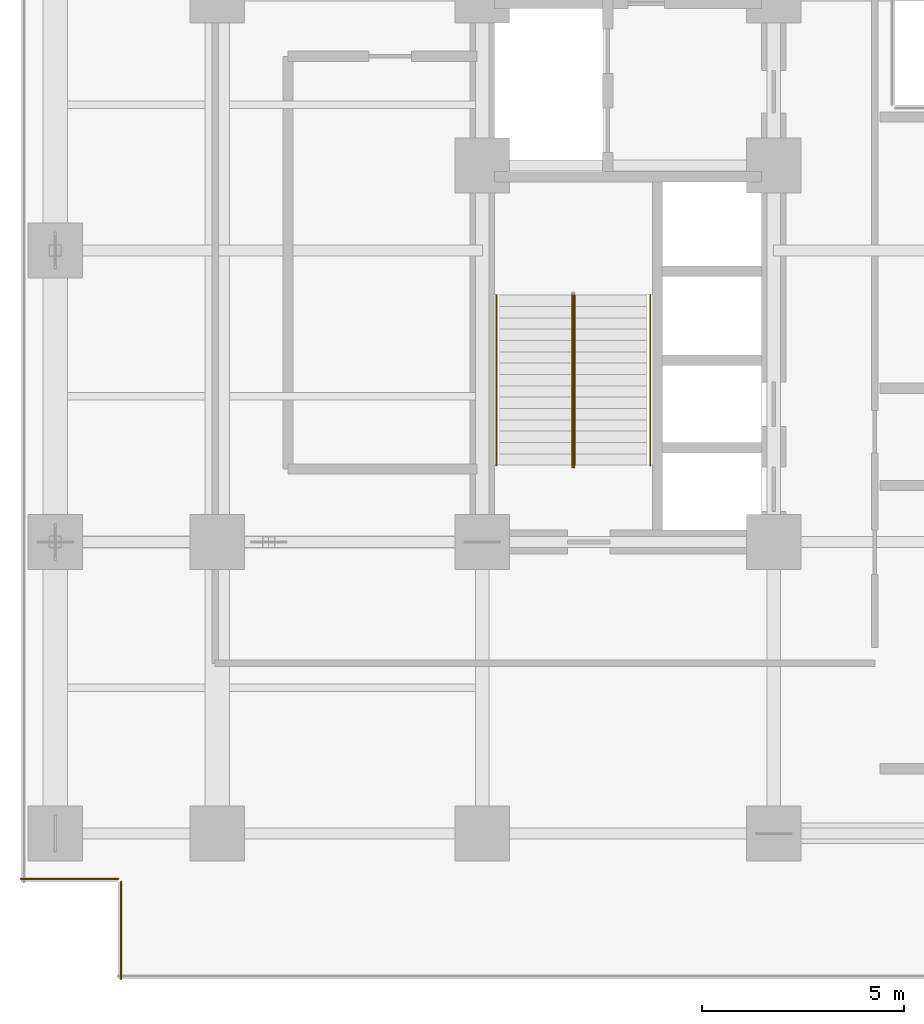
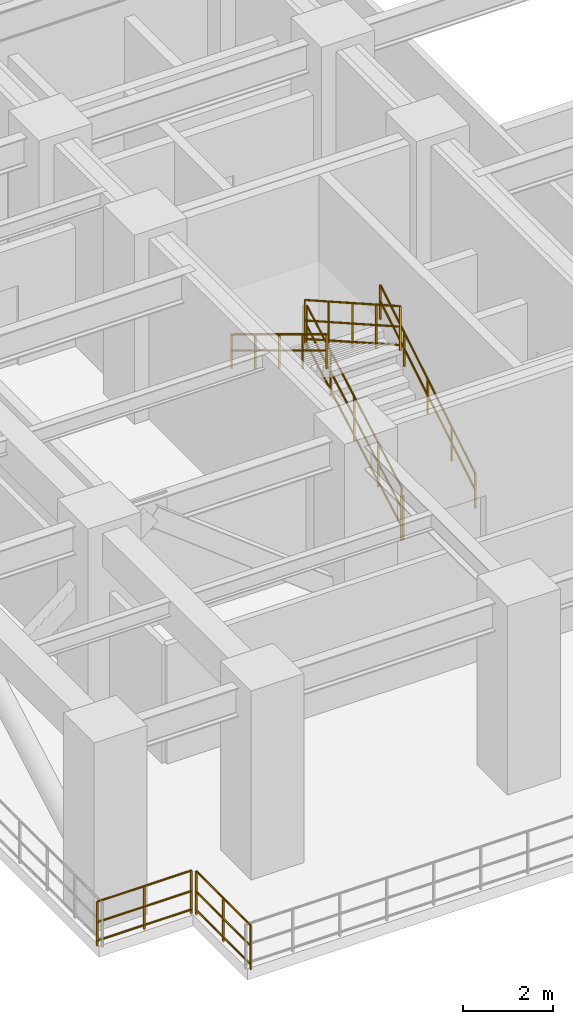
# One storey, part 8 of 15: 7 railings.
"""IFC4 building model written with IfcOpenShell, lengths in metres."""

from ifc_helpers import new_model, entity, si_unit, converted_unit, direction, frame, origin_with_axes, origin_2d_with_axis, place, context, subcontext, project, spatial, rectangle, circle, extrude, material, type_object, element, save


model = new_model("IFC4")

# Units and contexts
model_context = context("Model", 3, precision=1e-05, world=origin_with_axes(), true_north=direction((0.0, 1.0)))
body_context = subcontext(model_context, "Body", "Model", "MODEL_VIEW")
ifc_project = project(units=[si_unit("LENGTHUNIT", "METRE"), si_unit("AREAUNIT", "SQUARE_METRE"), si_unit("VOLUMEUNIT", "CUBIC_METRE"), converted_unit("PLANEANGLEUNIT", "DEGREE", entity("IfcPlaneAngleMeasure", 0.017453292519943295), si_unit("PLANEANGLEUNIT", "RADIAN"), dimensions=[0, 0, 0, 0, 0, 0, 0]), si_unit("MASSUNIT", "GRAM", prefix="KILO"), si_unit("THERMODYNAMICTEMPERATUREUNIT", "KELVIN")], contexts=[model_context])

# Site, building, storey
site_placement = place(None, origin_with_axes())
site = spatial("IfcSite", under=ifc_project, at=site_placement, CompositionType="ELEMENT")
building_placement = place(site_placement, origin_with_axes())
building = spatial("IfcBuilding", under=site, at=building_placement, Name="Varnlund Millrace Tower", CompositionType="ELEMENT")
storey_placement = place(building_placement, frame((0.0, 0.0, 79.5), z_axis=(0.0, 0.0, 1.0), x_axis=(1.0, 0.0, 0.0)))
storey = spatial("IfcBuildingStorey", under=building, at=storey_placement, Name="L19", CompositionType="ELEMENT", Elevation=79.5)

# Railings
ifc_material_1 = material(Name="Architectural bronze balustrade guard", Category="aluminium")
railing_type_1 = type_object("IfcRailingType", Name="Type-Guard-Perimeter-1150", PredefinedType="BALUSTRADE", material=ifc_material_1)
railing_1_placement = place(storey_placement, frame((0.0, 0.0, -79.5), z_axis=(0.0, 0.0, 1.0), x_axis=(1.0, 0.0, 0.0)))
element("IfcRailing", 1, at=railing_1_placement, inside=storey, type_object=railing_type_1, Name="Type-Guard-Perimeter-1150", PredefinedType="BALUSTRADE", context=body_context, shape_type="SweptSolid", body=[
    extrude(circle(Radius=0.024, at=origin_2d_with_axis()), frame((0.0, 2.48, 80.65), z_axis=(1.0, 0.0, 0.0), x_axis=(0.0, 1.0, 0.0)), (0.0, 0.0, 1.0), 2.4),
    extrude(circle(Radius=0.024, at=origin_2d_with_axis()), frame((0.0, 2.48, 79.6), z_axis=(1.0, 0.0, 0.0), x_axis=(0.0, 1.0, 0.0)), (0.0, 0.0, 1.0), 2.4),
    extrude(circle(Radius=0.024, at=origin_2d_with_axis()), frame((0.0, 2.48, 80.098), z_axis=(1.0, 0.0, 0.0), x_axis=(0.0, 1.0, 0.0)), (0.0, 0.0, 1.0), 2.4),
    extrude(rectangle(XDim=0.04, YDim=0.04, at=origin_2d_with_axis()), frame((0.0, 2.48, 79.46), z_axis=(0.0, 0.0, 1.0), x_axis=(1.0, 0.0, 0.0)), (0.0, 0.0, 1.0), 1.19),
    extrude(rectangle(XDim=0.04, YDim=0.04, at=origin_2d_with_axis()), frame((1.2, 2.48, 79.46), z_axis=(0.0, 0.0, 1.0), x_axis=(1.0, 0.0, 0.0)), (0.0, 0.0, 1.0), 1.19),
    extrude(rectangle(XDim=0.04, YDim=0.04, at=origin_2d_with_axis()), frame((2.4, 2.48, 79.46), z_axis=(0.0, 0.0, 1.0), x_axis=(1.0, 0.0, 0.0)), (0.0, 0.0, 1.0), 1.19),
])
railing_2_placement = place(storey_placement, frame((0.0, 0.0, -79.5), z_axis=(0.0, 0.0, 1.0), x_axis=(1.0, 0.0, 0.0)))
element("IfcRailing", 2, at=railing_2_placement, inside=storey, type_object=railing_type_1, Name="Type-Guard-Perimeter-1150", PredefinedType="BALUSTRADE", context=body_context, shape_type="SweptSolid", body=[
    extrude(circle(Radius=0.024, at=origin_2d_with_axis()), frame((2.48, 2.4, 80.65), z_axis=(0.0, -1.0, 0.0), x_axis=(1.0, 0.0, 0.0)), (0.0, 0.0, 1.0), 2.4),
    extrude(circle(Radius=0.024, at=origin_2d_with_axis()), frame((2.48, 2.4, 79.6), z_axis=(0.0, -1.0, 0.0), x_axis=(1.0, 0.0, 0.0)), (0.0, 0.0, 1.0), 2.4),
    extrude(circle(Radius=0.024, at=origin_2d_with_axis()), frame((2.48, 2.4, 80.098), z_axis=(0.0, -1.0, 0.0), x_axis=(1.0, 0.0, 0.0)), (0.0, 0.0, 1.0), 2.4),
    extrude(rectangle(XDim=0.04, YDim=0.04, at=origin_2d_with_axis()), frame((2.48, 2.4, 79.46), z_axis=(0.0, 0.0, 1.0), x_axis=(1.0, 0.0, 0.0)), (0.0, 0.0, 1.0), 1.19),
    extrude(rectangle(XDim=0.04, YDim=0.04, at=origin_2d_with_axis()), frame((2.48, 1.2, 79.46), z_axis=(0.0, 0.0, 1.0), x_axis=(1.0, 0.0, 0.0)), (0.0, 0.0, 1.0), 1.19),
    extrude(rectangle(XDim=0.04, YDim=0.04, at=origin_2d_with_axis()), frame((2.48, 0.0, 79.46), z_axis=(0.0, 0.0, 1.0), x_axis=(1.0, 0.0, 0.0)), (0.0, 0.0, 1.0), 1.19),
])
ifc_material_2 = material(Name="Painted steel stair well balustrade guard", Category="steel")
railing_type_2 = type_object("IfcRailingType", Name="Type-StairGuard-1150", PredefinedType="GUARDRAIL", material=ifc_material_2)
railing_3_placement = place(storey_placement, frame((0.0, 0.0, -79.5), z_axis=(0.0, 0.0, 1.0), x_axis=(1.0, 0.0, 0.0)))
element("IfcRailing", 3, at=railing_3_placement, inside=storey, type_object=railing_type_2, Name="Type-StairGuard-1150", PredefinedType="GUARDRAIL", context=body_context, shape_type="SweptSolid", body=[
    extrude(circle(Radius=0.024, at=origin_2d_with_axis()), frame((13.675, 12.7, 80.82), z_axis=(0.0, 0.870022, 0.493013), x_axis=(-1.0, 0.0, 0.0)), (0.0, 0.0, 1.0), 4.827463),
    extrude(circle(Radius=0.024, at=origin_2d_with_axis()), frame((13.675, 12.7, 79.77), z_axis=(0.0, 0.870022, 0.493013), x_axis=(-1.0, 0.0, 0.0)), (0.0, 0.0, 1.0), 4.827463),
    extrude(circle(Radius=0.024, at=origin_2d_with_axis()), frame((13.675, 12.7, 80.268), z_axis=(0.0, 0.870022, 0.493013), x_axis=(-1.0, 0.0, 0.0)), (0.0, 0.0, 1.0), 4.827463),
    extrude(rectangle(XDim=0.04, YDim=0.04, at=origin_2d_with_axis()), frame((13.675, 12.7, 79.63), z_axis=(0.0, 0.0, 1.0), x_axis=(1.0, 0.0, 0.0)), (0.0, 0.0, 1.0), 1.19),
    extrude(rectangle(XDim=0.04, YDim=0.04, at=origin_2d_with_axis()), frame((13.675, 13.75, 80.225), z_axis=(0.0, 0.0, 1.0), x_axis=(1.0, 0.0, 0.0)), (0.0, 0.0, 1.0), 1.19),
    extrude(rectangle(XDim=0.04, YDim=0.04, at=origin_2d_with_axis()), frame((13.675, 14.8, 80.82), z_axis=(0.0, 0.0, 1.0), x_axis=(1.0, 0.0, 0.0)), (0.0, 0.0, 1.0), 1.19),
    extrude(rectangle(XDim=0.04, YDim=0.04, at=origin_2d_with_axis()), frame((13.675, 15.85, 81.415), z_axis=(0.0, 0.0, 1.0), x_axis=(1.0, 0.0, 0.0)), (0.0, 0.0, 1.0), 1.19),
    extrude(rectangle(XDim=0.04, YDim=0.04, at=origin_2d_with_axis()), frame((13.675, 16.9, 82.01), z_axis=(0.0, 0.0, 1.0), x_axis=(1.0, 0.0, 0.0)), (0.0, 0.0, 1.0), 1.19),
])
railing_4_placement = place(storey_placement, frame((0.0, 0.0, -79.5), z_axis=(0.0, 0.0, 1.0), x_axis=(1.0, 0.0, 0.0)))
element("IfcRailing", 4, at=railing_4_placement, inside=storey, type_object=railing_type_2, Name="Type-StairGuard-1150", PredefinedType="GUARDRAIL", context=body_context, shape_type="SweptSolid", body=[
    extrude(circle(Radius=0.024, at=origin_2d_with_axis()), frame((13.625, 16.9, 83.37), z_axis=(0.0, -0.870022, 0.493013), x_axis=(1.0, 0.0, 0.0)), (0.0, 0.0, 1.0), 4.827463),
    extrude(circle(Radius=0.024, at=origin_2d_with_axis()), frame((13.625, 16.9, 82.32), z_axis=(0.0, -0.870022, 0.493013), x_axis=(1.0, 0.0, 0.0)), (0.0, 0.0, 1.0), 4.827463),
    extrude(circle(Radius=0.024, at=origin_2d_with_axis()), frame((13.625, 16.9, 82.818), z_axis=(0.0, -0.870022, 0.493013), x_axis=(1.0, 0.0, 0.0)), (0.0, 0.0, 1.0), 4.827463),
    extrude(rectangle(XDim=0.04, YDim=0.04, at=origin_2d_with_axis()), frame((13.625, 16.9, 82.18), z_axis=(0.0, 0.0, 1.0), x_axis=(1.0, 0.0, 0.0)), (0.0, 0.0, 1.0), 1.19),
    extrude(rectangle(XDim=0.04, YDim=0.04, at=origin_2d_with_axis()), frame((13.625, 15.85, 82.775), z_axis=(0.0, 0.0, 1.0), x_axis=(1.0, 0.0, 0.0)), (0.0, 0.0, 1.0), 1.19),
    extrude(rectangle(XDim=0.04, YDim=0.04, at=origin_2d_with_axis()), frame((13.625, 14.8, 83.37), z_axis=(0.0, 0.0, 1.0), x_axis=(1.0, 0.0, 0.0)), (0.0, 0.0, 1.0), 1.19),
    extrude(rectangle(XDim=0.04, YDim=0.04, at=origin_2d_with_axis()), frame((13.625, 13.75, 83.965), z_axis=(0.0, 0.0, 1.0), x_axis=(1.0, 0.0, 0.0)), (0.0, 0.0, 1.0), 1.19),
    extrude(rectangle(XDim=0.04, YDim=0.04, at=origin_2d_with_axis()), frame((13.625, 12.7, 84.56), z_axis=(0.0, 0.0, 1.0), x_axis=(1.0, 0.0, 0.0)), (0.0, 0.0, 1.0), 1.19),
])
railing_5_placement = place(storey_placement, frame((0.0, 0.0, -79.5), z_axis=(0.0, 0.0, 1.0), x_axis=(1.0, 0.0, 0.0)))
element("IfcRailing", 5, at=railing_5_placement, inside=storey, type_object=railing_type_2, Name="Type-StairGuard-1150", PredefinedType="GUARDRAIL", context=body_context, shape_type="SweptSolid", body=[
    extrude(circle(Radius=0.024, at=origin_2d_with_axis()), frame((13.625, 12.65, 80.65), z_axis=(1.0, 0.0, 0.0), x_axis=(0.0, 1.0, 0.0)), (0.0, 0.0, 1.0), 0.05),
    extrude(circle(Radius=0.024, at=origin_2d_with_axis()), frame((13.625, 12.65, 79.6), z_axis=(1.0, 0.0, 0.0), x_axis=(0.0, 1.0, 0.0)), (0.0, 0.0, 1.0), 0.05),
    extrude(circle(Radius=0.024, at=origin_2d_with_axis()), frame((13.625, 12.65, 80.098), z_axis=(1.0, 0.0, 0.0), x_axis=(0.0, 1.0, 0.0)), (0.0, 0.0, 1.0), 0.05),
    extrude(rectangle(XDim=0.04, YDim=0.04, at=origin_2d_with_axis()), frame((13.625, 12.65, 79.46), z_axis=(0.0, 0.0, 1.0), x_axis=(1.0, 0.0, 0.0)), (0.0, 0.0, 1.0), 1.19),
    extrude(rectangle(XDim=0.04, YDim=0.04, at=origin_2d_with_axis()), frame((13.675, 12.65, 79.46), z_axis=(0.0, 0.0, 1.0), x_axis=(1.0, 0.0, 0.0)), (0.0, 0.0, 1.0), 1.19),
])
ifc_material_3 = material(Name="Brushed architectural bronze stair handrail", Category="aluminium")
railing_type_3 = type_object("IfcRailingType", Name="Type-StairHandrail-900", PredefinedType="HANDRAIL", material=ifc_material_3)
railing_6_placement = place(storey_placement, frame((0.0, 0.0, -79.5), z_axis=(0.0, 0.0, 1.0), x_axis=(1.0, 0.0, 0.0)))
element("IfcRailing", 6, at=railing_6_placement, inside=storey, type_object=railing_type_3, Name="Type-StairHandrail-900", PredefinedType="HANDRAIL", context=body_context, shape_type="SweptSolid", body=[
    extrude(circle(Radius=0.024, at=origin_2d_with_axis()), frame((15.55, 12.7, 80.549485), z_axis=(0.0, 0.854788, 0.518978), x_axis=(-1.0, 0.0, 0.0)), (0.0, 0.0, 1.0), 4.913502),
    extrude(circle(Radius=0.024, at=origin_2d_with_axis()), frame((15.55, 12.7, 80.109743), z_axis=(0.0, 0.854788, 0.518978), x_axis=(-1.0, 0.0, 0.0)), (0.0, 0.0, 1.0), 4.913502),
    extrude(rectangle(XDim=0.04, YDim=0.04, at=origin_2d_with_axis()), frame((15.55, 12.7, 79.63), z_axis=(0.0, 0.0, 1.0), x_axis=(1.0, 0.0, 0.0)), (0.0, 0.0, 1.0), 0.919485),
    extrude(rectangle(XDim=0.04, YDim=0.04, at=origin_2d_with_axis()), frame((15.55, 13.75, 80.2675), z_axis=(0.0, 0.0, 1.0), x_axis=(1.0, 0.0, 0.0)), (0.0, 0.0, 1.0), 0.919485),
    extrude(rectangle(XDim=0.04, YDim=0.04, at=origin_2d_with_axis()), frame((15.55, 14.8, 80.905), z_axis=(0.0, 0.0, 1.0), x_axis=(1.0, 0.0, 0.0)), (0.0, 0.0, 1.0), 0.919485),
    extrude(rectangle(XDim=0.04, YDim=0.04, at=origin_2d_with_axis()), frame((15.55, 15.85, 81.5425), z_axis=(0.0, 0.0, 1.0), x_axis=(1.0, 0.0, 0.0)), (0.0, 0.0, 1.0), 0.919485),
    extrude(rectangle(XDim=0.04, YDim=0.04, at=origin_2d_with_axis()), frame((15.55, 16.9, 82.18), z_axis=(0.0, 0.0, 1.0), x_axis=(1.0, 0.0, 0.0)), (0.0, 0.0, 1.0), 0.919485),
])
railing_7_placement = place(storey_placement, frame((0.0, 0.0, -79.5), z_axis=(0.0, 0.0, 1.0), x_axis=(1.0, 0.0, 0.0)))
element("IfcRailing", 7, at=railing_7_placement, inside=storey, type_object=railing_type_3, Name="Type-StairHandrail-900", PredefinedType="HANDRAIL", context=body_context, shape_type="SweptSolid", body=[
    extrude(circle(Radius=0.024, at=origin_2d_with_axis()), frame((11.75, 16.9, 83.099485), z_axis=(0.0, -0.854788, 0.518978), x_axis=(1.0, 0.0, 0.0)), (0.0, 0.0, 1.0), 4.913502),
    extrude(circle(Radius=0.024, at=origin_2d_with_axis()), frame((11.75, 16.9, 82.659743), z_axis=(0.0, -0.854788, 0.518978), x_axis=(1.0, 0.0, 0.0)), (0.0, 0.0, 1.0), 4.913502),
    extrude(rectangle(XDim=0.04, YDim=0.04, at=origin_2d_with_axis()), frame((11.75, 16.9, 82.18), z_axis=(0.0, 0.0, 1.0), x_axis=(1.0, 0.0, 0.0)), (0.0, 0.0, 1.0), 0.919485),
    extrude(rectangle(XDim=0.04, YDim=0.04, at=origin_2d_with_axis()), frame((11.75, 15.85, 82.8175), z_axis=(0.0, 0.0, 1.0), x_axis=(1.0, 0.0, 0.0)), (0.0, 0.0, 1.0), 0.919485),
    extrude(rectangle(XDim=0.04, YDim=0.04, at=origin_2d_with_axis()), frame((11.75, 14.8, 83.455), z_axis=(0.0, 0.0, 1.0), x_axis=(1.0, 0.0, 0.0)), (0.0, 0.0, 1.0), 0.919485),
    extrude(rectangle(XDim=0.04, YDim=0.04, at=origin_2d_with_axis()), frame((11.75, 13.75, 84.0925), z_axis=(0.0, 0.0, 1.0), x_axis=(1.0, 0.0, 0.0)), (0.0, 0.0, 1.0), 0.919485),
    extrude(rectangle(XDim=0.04, YDim=0.04, at=origin_2d_with_axis()), frame((11.75, 12.7, 84.73), z_axis=(0.0, 0.0, 1.0), x_axis=(1.0, 0.0, 0.0)), (0.0, 0.0, 1.0), 0.919485),
])

save(model, "model.ifc")
